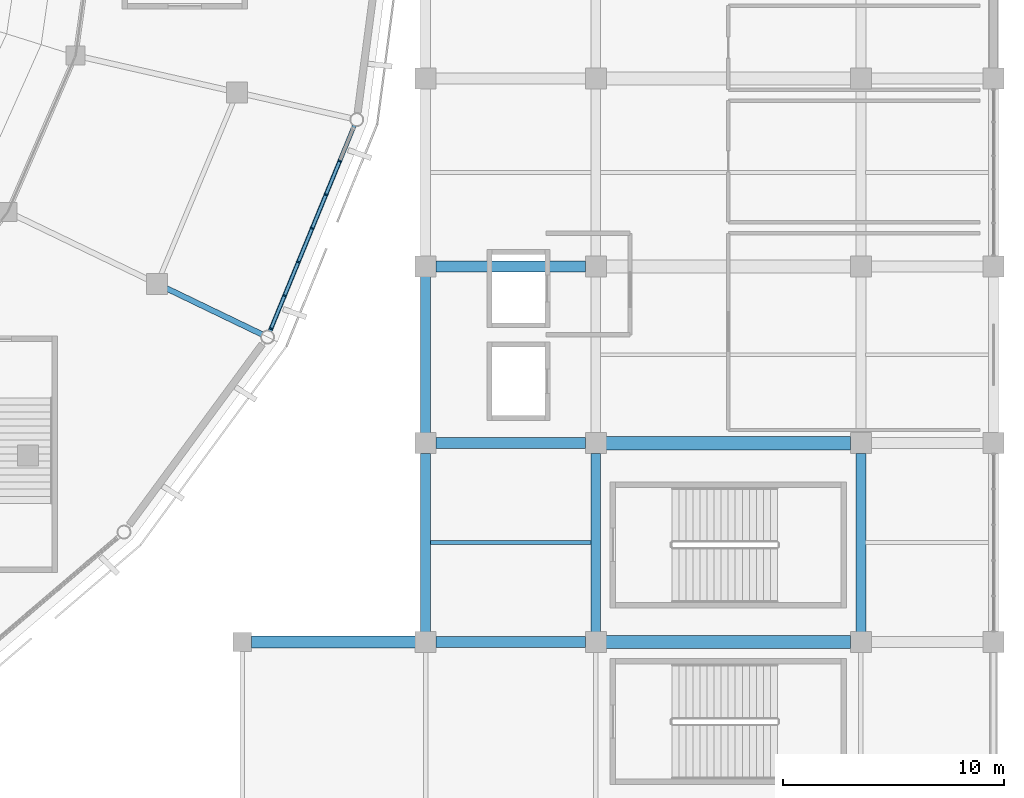
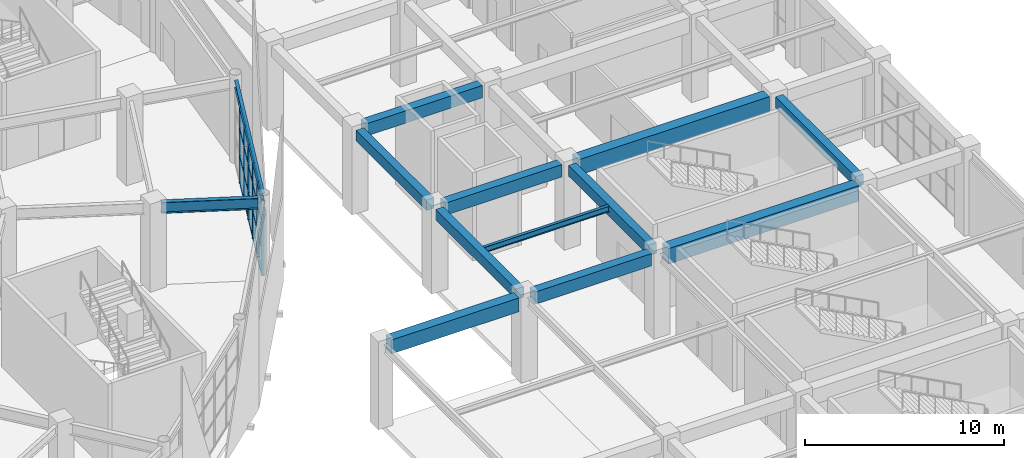
# One storey, part 48 of 120: 26 members, 13 beams, 1 element without a shape of its own.
"""IFC4 building model written with IfcOpenShell, lengths in metres."""

from ifc_helpers import new_model, si_unit, direction, frame, origin, origin_2d, place, context, subcontext, project, spatial, rectangle, i_section, extrude, material, material_profile, profile_set, type_object, element, aggregate, save


model = new_model("IFC4")

# Units and contexts
model_context = context("Model", 3, precision=1e-05, world=origin(), true_north=direction((0.0, 1.0)))
body_context = subcontext(model_context, "Body", "Model", "MODEL_VIEW")
ifc_project = project(units=[si_unit("LENGTHUNIT", "METRE"), si_unit("AREAUNIT", "SQUARE_METRE"), si_unit("VOLUMEUNIT", "CUBIC_METRE"), si_unit("PLANEANGLEUNIT", "RADIAN"), si_unit("MASSUNIT", "GRAM", prefix="KILO")], contexts=[model_context])

# Site, building, storey
site_placement = place(None, origin())
site = spatial("IfcSite", under=ifc_project, at=site_placement, CompositionType="ELEMENT")
building_placement = place(site_placement, origin())
building = spatial("IfcBuilding", under=site, at=building_placement, Name="Cuetzalor Civic Arena", CompositionType="ELEMENT")
storey_placement = place(building_placement, frame((0.0, 0.0, 6.0)))
storey = spatial("IfcBuildingStorey", under=building, at=storey_placement, Name="L01", CompositionType="ELEMENT", Elevation=6.0)

# Beams
ifc_material_1 = material(Name="Concrete C40/50", Category="concrete")
ifc_material_profile_1 = material_profile(ifc_material_1, rectangle(XDim=0.5, YDim=0.75, at=origin_2d()), Name="RC 500x750")
ifc_profile_set_1 = profile_set([ifc_material_profile_1], Name="Concrete C40/50")
beam_type_1 = type_object("IfcBeamType", Name="ConcreteFrameBeam_500x750", PredefinedType="BEAM", material=ifc_profile_set_1)
for number, where, z_axis, x_axis, name in (
    (1, (56.764892578125, -34.0, 4.7451171875), (1.0, 0.0, 0.0), (0.0, 1.0, 0.0), "Frame Girder V4E-L01-X0432"),
    (2, (56.764892578125, -25.0, 4.7451171875), (1.0, 0.0, 0.0), (0.0, 1.0, 0.0), "Frame Girder V4E-L01-X0435"),
    (3, (56.764892578125, -17.0, 4.7451171875), (1.0, 0.0, 0.0), (0.0, 1.0, 0.0), "Frame Girder V4E-L01-X0438"),
):
    element("IfcBeam", number, at=place(storey_placement, frame(where, z_axis=z_axis, x_axis=x_axis)), inside=storey, type_object=beam_type_1, Name=name, PredefinedType="BEAM", context=body_context, shape_type="SweptSolid", body=[
        extrude(rectangle(XDim=0.5, YDim=0.75, at=origin_2d()), origin(), (0.0, 0.0, 1.0), 6.77001953125),
    ])
ifc_material_2 = material(Name="Concrete C40/50", Category="concrete")
ifc_material_profile_2 = material_profile(ifc_material_2, rectangle(XDim=0.550048828125, YDim=0.85009765625, at=origin_2d()), Name="RC 550x850")
ifc_profile_set_2 = profile_set([ifc_material_profile_2], Name="Concrete C40/50")
beam_type_2 = type_object("IfcBeamType", Name="ConcreteFrameBeam_550x850", PredefinedType="BEAM", material=ifc_profile_set_2)
beam_1_placement = place(storey_placement, frame((48.4150390625, -34.0, 4.695068359375), z_axis=(1.0, 0.0, 0.0), x_axis=(0.0, 1.0, 0.0)))
element("IfcBeam", 4, at=beam_1_placement, inside=storey, type_object=beam_type_2, Name="Frame Girder V4E-L01-X0431", PredefinedType="BEAM", context=body_context, shape_type="SweptSolid", body=[
    extrude(rectangle(XDim=0.550048828125, YDim=0.85009765625, at=origin_2d()), origin(), (0.0, 0.0, 1.0), 7.419921875),
])
ifc_material_3 = material(Name="Concrete C40/50", Category="concrete")
ifc_material_profile_3 = material_profile(ifc_material_3, rectangle(XDim=0.60009765625, YDim=0.949951171875, at=origin_2d()), Name="RC 600x950")
ifc_profile_set_3 = profile_set([ifc_material_profile_3], Name="Concrete C40/50")
beam_type_3 = type_object("IfcBeamType", Name="ConcreteFrameBeam_600x950", PredefinedType="BEAM", material=ifc_profile_set_3)
for number, where, z_axis, x_axis, name in (
    (5, (64.465087890625, -34.0, 4.64501953125), (1.0, 0.0, 0.0), (0.0, 1.0, 0.0), "Frame Girder V4E-L01-X0433"),
    (6, (64.465087890625, -25.0, 4.64501953125), (1.0, 0.0, 0.0), (0.0, 1.0, 0.0), "Frame Girder V4E-L01-X0436"),
):
    element("IfcBeam", number, at=place(storey_placement, frame(where, z_axis=z_axis, x_axis=x_axis)), inside=storey, type_object=beam_type_3, Name=name, PredefinedType="BEAM", context=body_context, shape_type="SweptSolid", body=[
        extrude(rectangle(XDim=0.60009765625, YDim=0.949951171875, at=origin_2d()), origin(), (0.0, 0.0, 1.0), 11.06982421875),
    ])
ifc_material_4 = material(Name="Concrete C40/50", Category="concrete")
ifc_material_profile_4 = material_profile(ifc_material_4, rectangle(XDim=0.449951171875, YDim=0.64990234375, at=origin_2d()), Name="RC 450x650")
ifc_profile_set_4 = profile_set([ifc_material_profile_4], Name="Concrete C40/50")
beam_type_4 = type_object("IfcBeamType", Name="ConcreteTieBeam_450x650", PredefinedType="BEAM", material=ifc_profile_set_4)
beam_2_placement = place(storey_placement, frame((56.300048828125, -33.534912109375, 4.794921875), z_axis=(0.0, 1.0, 0.0), x_axis=(-1.0, 0.0, 0.0)))
element("IfcBeam", 7, at=beam_2_placement, inside=storey, type_object=beam_type_4, Name="Frame Girder V4E-L01-Y0463", PredefinedType="BEAM", context=body_context, shape_type="SweptSolid", body=[
    extrude(rectangle(XDim=0.449951171875, YDim=0.64990234375, at=origin_2d()), origin(), (0.0, 0.0, 1.0), 8.06982421875),
])
beam_3_placement = place(storey_placement, frame((56.300048828125, -24.534912109375, 4.794921875), z_axis=(0.0, 1.0, 0.0), x_axis=(-1.0, 0.0, 0.0)))
element("IfcBeam", 8, at=beam_3_placement, inside=storey, type_object=beam_type_4, Name="Frame Girder V4E-L01-Y0464", PredefinedType="BEAM", context=body_context, shape_type="SweptSolid", body=[
    extrude(rectangle(XDim=0.449951171875, YDim=0.64990234375, at=origin_2d()), origin(), (0.0, 0.0, 1.0), 7.06982421875),
])
for number, where, z_axis, x_axis, name in (
    (9, (64.0, -33.534912109375, 4.794921875), (0.0, 1.0, 0.0), (-1.0, 0.0, 0.0), "Frame Girder V4E-L01-Y0473"),
    (10, (76.0, -33.534912109375, 4.794921875), (0.0, 1.0, 0.0), (-1.0, 0.0, 0.0), "Frame Girder V4E-L01-Y0483"),
):
    element("IfcBeam", number, at=place(storey_placement, frame(where, z_axis=z_axis, x_axis=x_axis)), inside=storey, type_object=beam_type_4, Name=name, PredefinedType="BEAM", context=body_context, shape_type="SweptSolid", body=[
        extrude(rectangle(XDim=0.449951171875, YDim=0.64990234375, at=origin_2d()), origin(), (0.0, 0.0, 1.0), 8.06982421875),
    ])

# Curtain wall, members
ifc_material_5 = material(Name="Anodised dark bronze aluminium and low-E solar glass", Category="aluminium")
curtain_wall_type = type_object("IfcCurtainWallType", Name="UnitisedCW_9850x4650", PredefinedType="USERDEFINED", material=ifc_material_5)
curtain_wall_placement = place(storey_placement, origin())
curtain_wall = element("IfcCurtainWall", 11, at=curtain_wall_placement, inside=storey, type_object=curtain_wall_type, Name="Drum Triangle Foyer Curtain Wall L01-032", ObjectType="UNITISED CURTAIN WALL", PredefinedType="USERDEFINED")
ifc_material_6 = material(Name="Anodised dark bronze aluminium", Category="aluminium")
ifc_material_profile_5 = material_profile(ifc_material_6, rectangle(XDim=0.070068359375, YDim=0.179931640625, at=origin_2d()), Name="ALU MULLION 70x180")
ifc_profile_set_5 = profile_set([ifc_material_profile_5], Name="Anodised dark bronze aluminium")
member_type_1 = type_object("IfcMemberType", Name="CurtainWallMullion_65x180", PredefinedType="MULLION", material=ifc_profile_set_5)
member_1_placement = place(storey_placement, frame((52.413818359375, -12.232421875, 0.0), z_axis=(0.0, 0.0, 1.0), x_axis=(-0.379391428583, -0.925236263836, 0.0)))
member_1 = element("IfcMember", 12, at=member_1_placement, type_object=member_type_1, Name="CW-11 mullion 2", PredefinedType="MULLION", context=body_context, shape_type="SweptSolid", body=[
    extrude(rectangle(XDim=0.070068359375, YDim=0.179931640625, at=origin_2d()), origin(), (0.0, 0.0, 1.0), 4.653076171875),
])
member_2_placement = place(storey_placement, frame((51.78955078125, -13.755126953125, 0.0), z_axis=(0.0, 0.0, 1.0), x_axis=(-0.379391428583, -0.925236263836, 0.0)))
member_2 = element("IfcMember", 13, at=member_2_placement, type_object=member_type_1, Name="CW-11 mullion 3", PredefinedType="MULLION", context=body_context, shape_type="SweptSolid", body=[
    extrude(rectangle(XDim=0.070068359375, YDim=0.179931640625, at=origin_2d()), origin(), (0.0, 0.0, 1.0), 4.653076171875),
])
member_3_placement = place(storey_placement, frame((51.1650390625, -15.27783203125, 0.0), z_axis=(0.0, 0.0, 1.0), x_axis=(-0.379391428583, -0.925236263836, 0.0)))
member_3 = element("IfcMember", 14, at=member_3_placement, type_object=member_type_1, Name="CW-11 mullion 4", PredefinedType="MULLION", context=body_context, shape_type="SweptSolid", body=[
    extrude(rectangle(XDim=0.070068359375, YDim=0.179931640625, at=origin_2d()), origin(), (0.0, 0.0, 1.0), 4.653076171875),
])
member_4_placement = place(storey_placement, frame((50.540771484375, -16.800537109375, 0.0), z_axis=(0.0, 0.0, 1.0), x_axis=(-0.379391428583, -0.925236263836, 0.0)))
member_4 = element("IfcMember", 15, at=member_4_placement, type_object=member_type_1, Name="CW-11 mullion 5", PredefinedType="MULLION", context=body_context, shape_type="SweptSolid", body=[
    extrude(rectangle(XDim=0.070068359375, YDim=0.179931640625, at=origin_2d()), origin(), (0.0, 0.0, 1.0), 4.653076171875),
])
member_5_placement = place(storey_placement, frame((49.916259765625, -18.3232421875, 0.0), z_axis=(0.0, 0.0, 1.0), x_axis=(-0.379391428583, -0.925236263836, 0.0)))
member_5 = element("IfcMember", 16, at=member_5_placement, type_object=member_type_1, Name="CW-11 mullion 6", PredefinedType="MULLION", context=body_context, shape_type="SweptSolid", body=[
    extrude(rectangle(XDim=0.070068359375, YDim=0.179931640625, at=origin_2d()), origin(), (0.0, 0.0, 1.0), 4.653076171875),
])
member_6_placement = place(storey_placement, frame((49.30517578125, -19.8134765625, 0.0), z_axis=(0.0, 0.0, 1.0), x_axis=(-0.379391428583, -0.925236263836, 0.0)))
member_6 = element("IfcMember", 17, at=member_6_placement, type_object=member_type_1, Name="CW-11 mullion 7", PredefinedType="MULLION", context=body_context, shape_type="SweptSolid", body=[
    extrude(rectangle(XDim=0.070068359375, YDim=0.179931640625, at=origin_2d()), origin(), (0.0, 0.0, 1.0), 4.653076171875),
])
ifc_material_7 = material(Name="Anodised dark bronze aluminium", Category="aluminium")
ifc_material_profile_6 = material_profile(ifc_material_7, rectangle(XDim=0.139892578125, YDim=0.070068359375, at=origin_2d()), Name="ALU TRANSOM 70x140")
ifc_profile_set_6 = profile_set([ifc_material_profile_6], Name="Anodised dark bronze aluminium")
member_type_2 = type_object("IfcMemberType", Name="CurtainWallTransom_65x140", PredefinedType="USERDEFINED", material=ifc_profile_set_6)
member_7_placement = place(storey_placement, frame((52.400634765625, -12.264892578125, 0.034912109375), z_axis=(-0.37947133734, -0.925203493367, 0.0), x_axis=(0.925203493367, -0.37947133734, 0.0)))
member_7 = element("IfcMember", 18, at=member_7_placement, type_object=member_type_2, Name="CW-11 transom 2.1", ObjectType="TRANSOM", PredefinedType="USERDEFINED", context=body_context, shape_type="SweptSolid", body=[
    extrude(rectangle(XDim=0.139892578125, YDim=0.070068359375, at=origin_2d()), origin(), (0.0, 0.0, 1.0), 1.57568359375),
])
member_8_placement = place(storey_placement, frame((52.400634765625, -12.264892578125, 1.675048828125), z_axis=(-0.37947133734, -0.925203493367, 0.0), x_axis=(0.925203493367, -0.37947133734, 0.0)))
member_8 = element("IfcMember", 19, at=member_8_placement, type_object=member_type_2, Name="CW-11 transom 2.2", ObjectType="TRANSOM", PredefinedType="USERDEFINED", context=body_context, shape_type="SweptSolid", body=[
    extrude(rectangle(XDim=0.139892578125, YDim=0.070068359375, at=origin_2d()), origin(), (0.0, 0.0, 1.0), 1.57568359375),
])
member_9_placement = place(storey_placement, frame((52.400634765625, -12.264892578125, 3.35009765625), z_axis=(-0.37947133734, -0.925203493367, 0.0), x_axis=(0.925203493367, -0.37947133734, 0.0)))
member_9 = element("IfcMember", 20, at=member_9_placement, type_object=member_type_2, Name="CW-11 transom 2.3", ObjectType="TRANSOM", PredefinedType="USERDEFINED", context=body_context, shape_type="SweptSolid", body=[
    extrude(rectangle(XDim=0.139892578125, YDim=0.070068359375, at=origin_2d()), origin(), (0.0, 0.0, 1.0), 1.57568359375),
])
member_10_placement = place(storey_placement, frame((52.400634765625, -12.264892578125, 4.617919921875), z_axis=(-0.37947133734, -0.925203493367, 0.0), x_axis=(0.925203493367, -0.37947133734, 0.0)))
member_10 = element("IfcMember", 21, at=member_10_placement, type_object=member_type_2, Name="CW-11 transom 2.4", ObjectType="TRANSOM", PredefinedType="USERDEFINED", context=body_context, shape_type="SweptSolid", body=[
    extrude(rectangle(XDim=0.139892578125, YDim=0.070068359375, at=origin_2d()), origin(), (0.0, 0.0, 1.0), 1.57568359375),
])
member_11_placement = place(storey_placement, frame((51.776123046875, -13.78759765625, 0.034912109375), z_axis=(-0.379338688632, -0.925257888, 0.0), x_axis=(0.925257888, -0.379338688632, 0.0)))
member_11 = element("IfcMember", 22, at=member_11_placement, type_object=member_type_2, Name="CW-11 transom 3.1", ObjectType="TRANSOM", PredefinedType="USERDEFINED", context=body_context, shape_type="SweptSolid", body=[
    extrude(rectangle(XDim=0.139892578125, YDim=0.070068359375, at=origin_2d()), origin(), (0.0, 0.0, 1.0), 1.575439453125),
])
member_12_placement = place(storey_placement, frame((51.776123046875, -13.78759765625, 1.675048828125), z_axis=(-0.379338688632, -0.925257888, 0.0), x_axis=(0.925257888, -0.379338688632, 0.0)))
member_12 = element("IfcMember", 23, at=member_12_placement, type_object=member_type_2, Name="CW-11 transom 3.2", ObjectType="TRANSOM", PredefinedType="USERDEFINED", context=body_context, shape_type="SweptSolid", body=[
    extrude(rectangle(XDim=0.139892578125, YDim=0.070068359375, at=origin_2d()), origin(), (0.0, 0.0, 1.0), 1.575439453125),
])
member_13_placement = place(storey_placement, frame((51.776123046875, -13.78759765625, 3.35009765625), z_axis=(-0.379338688632, -0.925257888, 0.0), x_axis=(0.925257888, -0.379338688632, 0.0)))
member_13 = element("IfcMember", 24, at=member_13_placement, type_object=member_type_2, Name="CW-11 transom 3.3", ObjectType="TRANSOM", PredefinedType="USERDEFINED", context=body_context, shape_type="SweptSolid", body=[
    extrude(rectangle(XDim=0.139892578125, YDim=0.070068359375, at=origin_2d()), origin(), (0.0, 0.0, 1.0), 1.575439453125),
])
member_14_placement = place(storey_placement, frame((51.776123046875, -13.78759765625, 4.617919921875), z_axis=(-0.379338688632, -0.925257888, 0.0), x_axis=(0.925257888, -0.379338688632, 0.0)))
member_14 = element("IfcMember", 25, at=member_14_placement, type_object=member_type_2, Name="CW-11 transom 3.4", ObjectType="TRANSOM", PredefinedType="USERDEFINED", context=body_context, shape_type="SweptSolid", body=[
    extrude(rectangle(XDim=0.139892578125, YDim=0.070068359375, at=origin_2d()), origin(), (0.0, 0.0, 1.0), 1.575439453125),
])
member_15_placement = place(storey_placement, frame((51.15185546875, -15.310302734375, 0.034912109375), z_axis=(-0.37947133734, -0.925203493367, 0.0), x_axis=(0.925203493367, -0.37947133734, 0.0)))
member_15 = element("IfcMember", 26, at=member_15_placement, type_object=member_type_2, Name="CW-11 transom 4.1", ObjectType="TRANSOM", PredefinedType="USERDEFINED", context=body_context, shape_type="SweptSolid", body=[
    extrude(rectangle(XDim=0.139892578125, YDim=0.070068359375, at=origin_2d()), origin(), (0.0, 0.0, 1.0), 1.57568359375),
])
member_16_placement = place(storey_placement, frame((51.15185546875, -15.310302734375, 1.675048828125), z_axis=(-0.37947133734, -0.925203493367, 0.0), x_axis=(0.925203493367, -0.37947133734, 0.0)))
member_16 = element("IfcMember", 27, at=member_16_placement, type_object=member_type_2, Name="CW-11 transom 4.2", ObjectType="TRANSOM", PredefinedType="USERDEFINED", context=body_context, shape_type="SweptSolid", body=[
    extrude(rectangle(XDim=0.139892578125, YDim=0.070068359375, at=origin_2d()), origin(), (0.0, 0.0, 1.0), 1.57568359375),
])
member_17_placement = place(storey_placement, frame((51.15185546875, -15.310302734375, 3.35009765625), z_axis=(-0.37947133734, -0.925203493367, 0.0), x_axis=(0.925203493367, -0.37947133734, 0.0)))
member_17 = element("IfcMember", 28, at=member_17_placement, type_object=member_type_2, Name="CW-11 transom 4.3", ObjectType="TRANSOM", PredefinedType="USERDEFINED", context=body_context, shape_type="SweptSolid", body=[
    extrude(rectangle(XDim=0.139892578125, YDim=0.070068359375, at=origin_2d()), origin(), (0.0, 0.0, 1.0), 1.57568359375),
])
member_18_placement = place(storey_placement, frame((51.15185546875, -15.310302734375, 4.617919921875), z_axis=(-0.37947133734, -0.925203493367, 0.0), x_axis=(0.925203493367, -0.37947133734, 0.0)))
member_18 = element("IfcMember", 29, at=member_18_placement, type_object=member_type_2, Name="CW-11 transom 4.4", ObjectType="TRANSOM", PredefinedType="USERDEFINED", context=body_context, shape_type="SweptSolid", body=[
    extrude(rectangle(XDim=0.139892578125, YDim=0.070068359375, at=origin_2d()), origin(), (0.0, 0.0, 1.0), 1.57568359375),
])
member_19_placement = place(storey_placement, frame((50.52734375, -16.832763671875, 0.034912109375), z_axis=(-0.379284307452, -0.925280181416, 0.0), x_axis=(0.925280181416, -0.379284307452, 0.0)))
member_19 = element("IfcMember", 30, at=member_19_placement, type_object=member_type_2, Name="CW-11 transom 5.1", ObjectType="TRANSOM", PredefinedType="USERDEFINED", context=body_context, shape_type="SweptSolid", body=[
    extrude(rectangle(XDim=0.139892578125, YDim=0.070068359375, at=origin_2d()), origin(), (0.0, 0.0, 1.0), 1.57568359375),
])
member_20_placement = place(storey_placement, frame((50.52734375, -16.832763671875, 1.675048828125), z_axis=(-0.379284307452, -0.925280181416, 0.0), x_axis=(0.925280181416, -0.379284307452, 0.0)))
member_20 = element("IfcMember", 31, at=member_20_placement, type_object=member_type_2, Name="CW-11 transom 5.2", ObjectType="TRANSOM", PredefinedType="USERDEFINED", context=body_context, shape_type="SweptSolid", body=[
    extrude(rectangle(XDim=0.139892578125, YDim=0.070068359375, at=origin_2d()), origin(), (0.0, 0.0, 1.0), 1.57568359375),
])
member_21_placement = place(storey_placement, frame((50.52734375, -16.832763671875, 3.35009765625), z_axis=(-0.379284307452, -0.925280181416, 0.0), x_axis=(0.925280181416, -0.379284307452, 0.0)))
member_21 = element("IfcMember", 32, at=member_21_placement, type_object=member_type_2, Name="CW-11 transom 5.3", ObjectType="TRANSOM", PredefinedType="USERDEFINED", context=body_context, shape_type="SweptSolid", body=[
    extrude(rectangle(XDim=0.139892578125, YDim=0.070068359375, at=origin_2d()), origin(), (0.0, 0.0, 1.0), 1.57568359375),
])
member_22_placement = place(storey_placement, frame((50.52734375, -16.832763671875, 4.617919921875), z_axis=(-0.379284307452, -0.925280181416, 0.0), x_axis=(0.925280181416, -0.379284307452, 0.0)))
member_22 = element("IfcMember", 33, at=member_22_placement, type_object=member_type_2, Name="CW-11 transom 5.4", ObjectType="TRANSOM", PredefinedType="USERDEFINED", context=body_context, shape_type="SweptSolid", body=[
    extrude(rectangle(XDim=0.139892578125, YDim=0.070068359375, at=origin_2d()), origin(), (0.0, 0.0, 1.0), 1.57568359375),
])
member_23_placement = place(storey_placement, frame((49.903076171875, -18.35546875, 0.034912109375), z_axis=(-0.379354637702, -0.925251349015, 0.0), x_axis=(0.925251349015, -0.379354637702, 0.0)))
member_23 = element("IfcMember", 34, at=member_23_placement, type_object=member_type_2, Name="CW-11 transom 6.1", ObjectType="TRANSOM", PredefinedType="USERDEFINED", context=body_context, shape_type="SweptSolid", body=[
    extrude(rectangle(XDim=0.139892578125, YDim=0.070068359375, at=origin_2d()), origin(), (0.0, 0.0, 1.0), 1.540771484375),
])
member_24_placement = place(storey_placement, frame((49.903076171875, -18.35546875, 1.675048828125), z_axis=(-0.379354637702, -0.925251349015, 0.0), x_axis=(0.925251349015, -0.379354637702, 0.0)))
member_24 = element("IfcMember", 35, at=member_24_placement, type_object=member_type_2, Name="CW-11 transom 6.2", ObjectType="TRANSOM", PredefinedType="USERDEFINED", context=body_context, shape_type="SweptSolid", body=[
    extrude(rectangle(XDim=0.139892578125, YDim=0.070068359375, at=origin_2d()), origin(), (0.0, 0.0, 1.0), 1.540771484375),
])
member_25_placement = place(storey_placement, frame((49.903076171875, -18.35546875, 3.35009765625), z_axis=(-0.379354637702, -0.925251349015, 0.0), x_axis=(0.925251349015, -0.379354637702, 0.0)))
member_25 = element("IfcMember", 36, at=member_25_placement, type_object=member_type_2, Name="CW-11 transom 6.3", ObjectType="TRANSOM", PredefinedType="USERDEFINED", context=body_context, shape_type="SweptSolid", body=[
    extrude(rectangle(XDim=0.139892578125, YDim=0.070068359375, at=origin_2d()), origin(), (0.0, 0.0, 1.0), 1.540771484375),
])
member_26_placement = place(storey_placement, frame((49.903076171875, -18.35546875, 4.617919921875), z_axis=(-0.379354637702, -0.925251349015, 0.0), x_axis=(0.925251349015, -0.379354637702, 0.0)))
member_26 = element("IfcMember", 37, at=member_26_placement, type_object=member_type_2, Name="CW-11 transom 6.4", ObjectType="TRANSOM", PredefinedType="USERDEFINED", context=body_context, shape_type="SweptSolid", body=[
    extrude(rectangle(XDim=0.139892578125, YDim=0.070068359375, at=origin_2d()), origin(), (0.0, 0.0, 1.0), 1.540771484375),
])
aggregate(curtain_wall, [member_1, member_2, member_3, member_4, member_5, member_6, member_7, member_8, member_9, member_10, member_11, member_12, member_13, member_14, member_15, member_16, member_17, member_18, member_19, member_20, member_21, member_22, member_23, member_24, member_25, member_26])

# Beams
ifc_material_8 = material(Name="Steel S355", Category="steel")
ifc_material_profile_7 = material_profile(ifc_material_8, i_section(OverallWidth=0.18994140625, OverallDepth=0.45703125, WebThickness=0.009033203125, FlangeThickness=0.014404296875, at=origin_2d()), Name="W460x74")
ifc_profile_set_7 = profile_set([ifc_material_profile_7], Name="Steel S355")
beam_type_5 = type_object("IfcBeamType", Name="FacadeSpandrelBeam_W460", PredefinedType="SPANDREL", material=ifc_profile_set_7)
beam_4_placement = place(storey_placement, frame((49.2578125, -19.928955078125, 4.8916015625), z_axis=(0.379398599643, 0.925233323324, 0.0), x_axis=(-0.925233323324, 0.379398599643, 0.0)))
element("IfcBeam", 38, at=beam_4_placement, inside=storey, type_object=beam_type_5, Name="Drum Perimeter Spandrel L01-S27", PredefinedType="SPANDREL", context=body_context, shape_type="SweptSolid", body=[
    extrude(i_section(OverallWidth=0.18994140625, OverallDepth=0.45703125, WebThickness=0.009033203125, FlangeThickness=0.014404296875, at=origin_2d()), origin(), (0.0, 0.0, 1.0), 10.053955078125),
])
ifc_material_9 = material(Name="Steel S355", Category="steel")
ifc_material_profile_8 = material_profile(ifc_material_9, i_section(OverallWidth=0.1708984375, OverallDepth=0.35498046875, WebThickness=0.007080078125, FlangeThickness=0.01171875, at=origin_2d()), Name="W360x51")
ifc_profile_set_8 = profile_set([ifc_material_profile_8], Name="Steel S355")
beam_type_6 = type_object("IfcBeamType", Name="SecondaryFloorJoist_W360", PredefinedType="JOIST", material=ifc_profile_set_8)
beam_5_placement = place(storey_placement, frame((56.51708984375, -29.5, 4.9423828125), z_axis=(1.0, 0.0, 0.0), x_axis=(0.0, 1.0, 0.0)))
element("IfcBeam", 39, at=beam_5_placement, inside=storey, type_object=beam_type_6, Name="Secondary Floor Joist V4E-L01-0137", PredefinedType="JOIST", context=body_context, shape_type="SweptSolid", body=[
    extrude(i_section(OverallWidth=0.1708984375, OverallDepth=0.35498046875, WebThickness=0.007080078125, FlangeThickness=0.01171875, at=origin_2d()), origin(), (0.0, 0.0, 1.0), 7.265869140625),
])
ifc_material_10 = material(Name="Steel S355", Category="steel")
ifc_material_profile_9 = material_profile(ifc_material_10, i_section(OverallWidth=0.2529296875, OverallDepth=0.677978515625, WebThickness=0.01171875, FlangeThickness=0.016357421875, at=origin_2d()), Name="W690x125")
ifc_profile_set_9 = profile_set([ifc_material_profile_9], Name="Steel S355")
beam_type_7 = type_object("IfcBeamType", Name="SteelPrimaryGirder_W690", PredefinedType="BEAM", material=ifc_profile_set_9)
beam_6_placement = place(storey_placement, frame((44.4716796875, -17.9453125, 4.781005859375), z_axis=(0.900964883231, -0.433892013275, 0.0), x_axis=(0.433892013275, 0.900964883231, 0.0)))
element("IfcBeam", 40, at=beam_6_placement, inside=storey, type_object=beam_type_7, Name="Drum Radial Girder L01-R27", PredefinedType="BEAM", context=body_context, shape_type="SweptSolid", body=[
    extrude(i_section(OverallWidth=0.2529296875, OverallDepth=0.677978515625, WebThickness=0.01171875, FlangeThickness=0.016357421875, at=origin_2d()), origin(), (0.0, 0.0, 1.0), 4.900390625),
])

save(model, "model.ifc")
